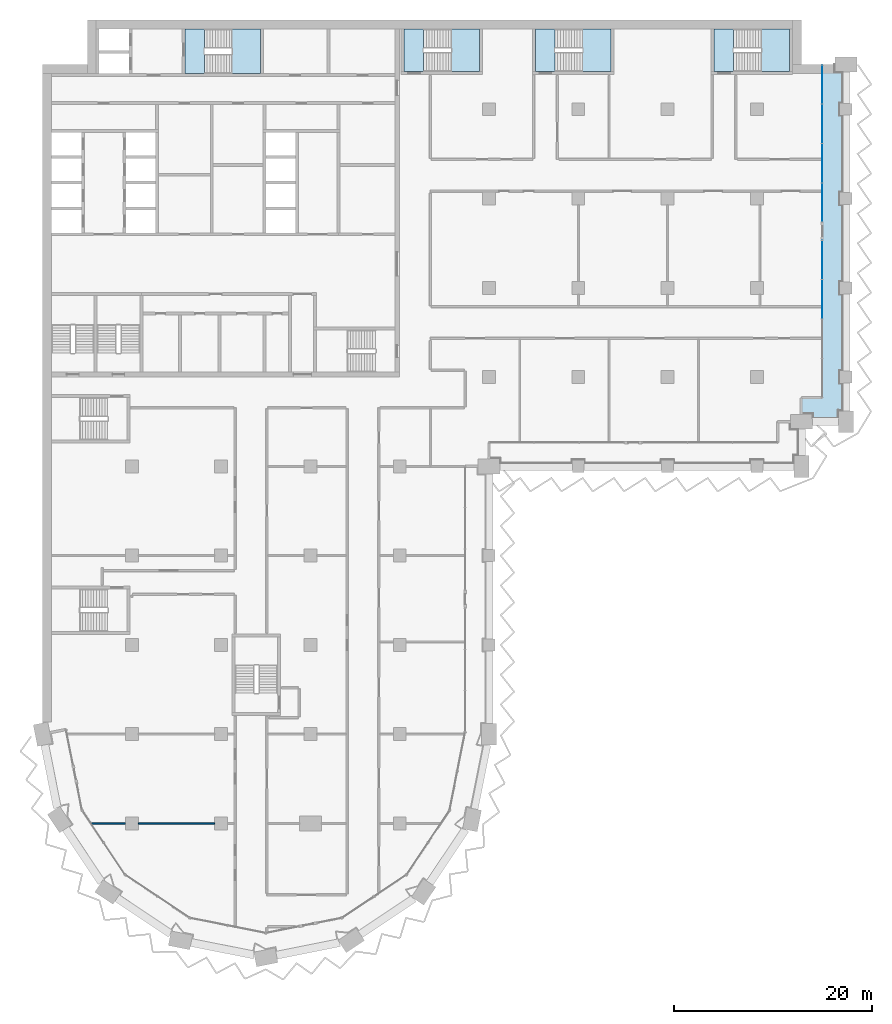
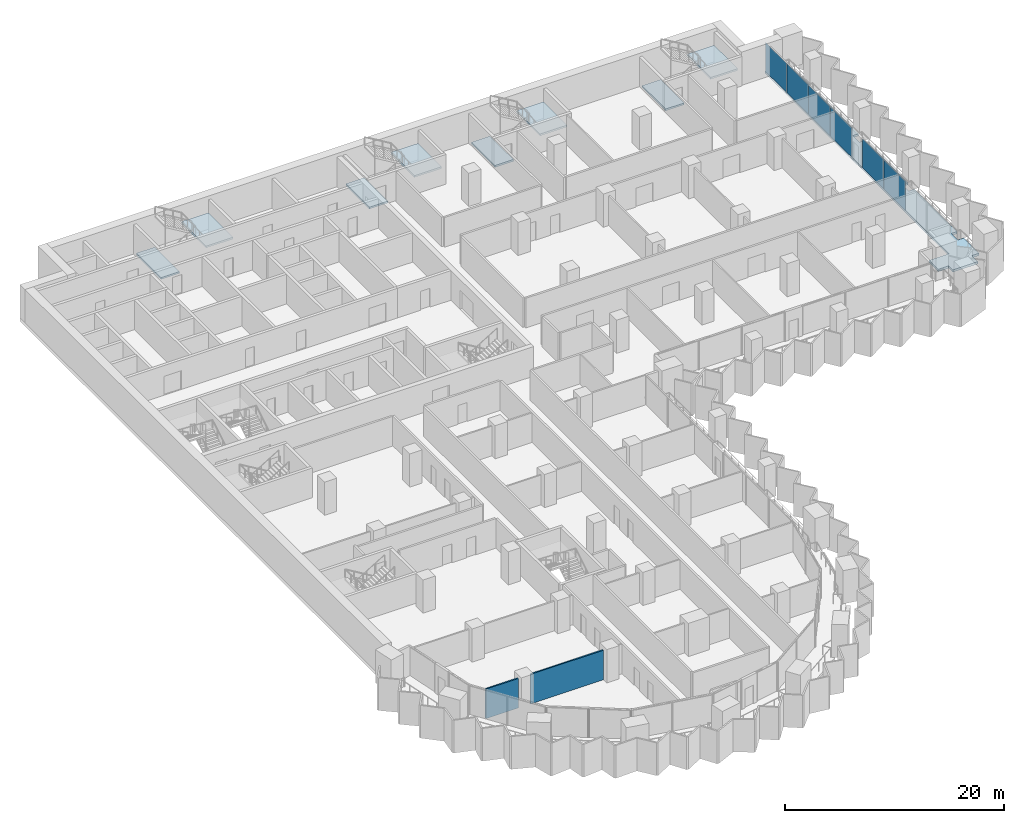
# One storey, part 8 of 22: 9 slabs, 6 plates, 2 walls, 6 elements without a shape of their own.
"""IFC4 building model written with IfcOpenShell, lengths in metres."""

from ifc_helpers import new_model, si_unit, direction, frame, frame_2d, origin, origin_2d, place, context, subcontext, project, spatial, polyline, rectangle, outline, extrude, material, layer, layer_set, type_object, element, aggregate, save


model = new_model("IFC4")

# Units and contexts
model_context = context("Model", 3, precision=1e-05, world=origin(), true_north=direction((0.0, 1.0)))
body_context = subcontext(model_context, "Body", "Model", "MODEL_VIEW")
ifc_project = project(units=[si_unit("LENGTHUNIT", "METRE"), si_unit("AREAUNIT", "SQUARE_METRE"), si_unit("VOLUMEUNIT", "CUBIC_METRE"), si_unit("PLANEANGLEUNIT", "RADIAN"), si_unit("MASSUNIT", "GRAM", prefix="KILO")], contexts=[model_context])

# Site, building, storey
site_placement = place(None, origin())
site = spatial("IfcSite", under=ifc_project, at=site_placement, CompositionType="ELEMENT")
building_placement = place(site_placement, origin())
building = spatial("IfcBuilding", under=site, at=building_placement, Name="Hunhe Ridgeline Campus", CompositionType="ELEMENT")
storey_placement = place(building_placement, frame((0.0, 0.0, 92.199951171875)))
storey = spatial("IfcBuildingStorey", under=building, at=storey_placement, Name="L22", CompositionType="ELEMENT", Elevation=92.199951171875)

# Curtain wall, plates
ifc_material_1 = material(Name="Aluminium 6063", Category="aluminium")
curtain_wall_type = type_object("IfcCurtainWallType", Name="Curtain wall CW-1", PredefinedType="NOTDEFINED", material=ifc_material_1)
curtain_wall_1_placement = place(storey_placement, origin())
curtain_wall_1 = element("IfcCurtainWall", 1, at=curtain_wall_1_placement, inside=storey, type_object=curtain_wall_type, Name="Curtain wall 15", PredefinedType="NOTDEFINED")
ifc_material_2 = material(Name="Low-e laminated glass", Category="glass")
ifc_layer_1 = layer(ifc_material_2, 0.028076171875)
ifc_layer_set_1 = layer_set([ifc_layer_1], Name="Curtain wall glass panel 28 low-e laminated")
plate_type = type_object("IfcPlateType", Name="Curtain wall glass panel 28 low-e laminated", PredefinedType="CURTAIN_PANEL", material=ifc_layer_set_1)
plate_1_placement = place(storey_placement, frame((78.59912109375, 70.838134765625, 0.0), z_axis=(0.0, 0.0, 1.0), x_axis=(0.0, 1.0, 0.0)))
plate_1 = element("IfcPlate", 2, at=plate_1_placement, type_object=plate_type, Name="CW-1 panel 3", PredefinedType="CURTAIN_PANEL", context=body_context, shape_type="SweptSolid", body=[
    extrude(rectangle(XDim=3.914794921875, YDim=0.028076171875, at=origin_2d()), origin(), (0.0, 0.0, 1.0), 3.239990234375),
])
plate_2_placement = place(storey_placement, frame((78.59912109375, 74.798095703125, 0.0), z_axis=(0.0, 0.0, 1.0), x_axis=(0.0, 1.0, 0.0)))
plate_2 = element("IfcPlate", 3, at=plate_2_placement, type_object=plate_type, Name="CW-1 panel 4", PredefinedType="CURTAIN_PANEL", context=body_context, shape_type="SweptSolid", body=[
    extrude(rectangle(XDim=3.884765625, YDim=0.028076171875, at=origin_2d()), origin(), (0.0, 0.0, 1.0), 3.239990234375),
])
aggregate(curtain_wall_1, [plate_1, plate_2])

curtain_wall_2_placement = place(storey_placement, origin())
curtain_wall_2 = element("IfcCurtainWall", 4, at=curtain_wall_2_placement, inside=storey, type_object=curtain_wall_type, Name="Curtain wall 16", PredefinedType="NOTDEFINED")
plate_3_placement = place(storey_placement, frame((78.59912109375, 80.60302734375, 0.0), z_axis=(0.0, 0.0, 1.0), x_axis=(0.0, 1.0, 0.0)))
plate_3 = element("IfcPlate", 5, at=plate_3_placement, type_object=plate_type, Name="CW-1 panel 1", PredefinedType="CURTAIN_PANEL", context=body_context, shape_type="SweptSolid", body=[
    extrude(rectangle(XDim=3.884765625, YDim=0.028076171875, at=origin_2d()), origin(), (0.0, 0.0, 1.0), 3.239990234375),
])
plate_4_placement = place(storey_placement, frame((78.59912109375, 84.562744140625, 0.0), z_axis=(0.0, 0.0, 1.0), x_axis=(0.0, 1.0, 0.0)))
plate_4 = element("IfcPlate", 6, at=plate_4_placement, type_object=plate_type, Name="CW-1 panel 2", PredefinedType="CURTAIN_PANEL", context=body_context, shape_type="SweptSolid", body=[
    extrude(rectangle(XDim=3.914794921875, YDim=0.028076171875, at=origin_2d()), origin(), (0.0, 0.0, 1.0), 3.239990234375),
])
plate_5_placement = place(storey_placement, frame((78.59912109375, 88.53759765625, 0.0), z_axis=(0.0, 0.0, 1.0), x_axis=(0.0, 1.0, 0.0)))
plate_5 = element("IfcPlate", 7, at=plate_5_placement, type_object=plate_type, Name="CW-1 panel 3", PredefinedType="CURTAIN_PANEL", context=body_context, shape_type="SweptSolid", body=[
    extrude(rectangle(XDim=3.914794921875, YDim=0.028076171875, at=origin_2d()), origin(), (0.0, 0.0, 1.0), 3.239990234375),
])
plate_6_placement = place(storey_placement, frame((78.59912109375, 92.49755859375, 0.0), z_axis=(0.0, 0.0, 1.0), x_axis=(0.0, 1.0, 0.0)))
plate_6 = element("IfcPlate", 8, at=plate_6_placement, type_object=plate_type, Name="CW-1 panel 4", PredefinedType="CURTAIN_PANEL", context=body_context, shape_type="SweptSolid", body=[
    extrude(rectangle(XDim=3.884765625, YDim=0.028076171875, at=origin_2d()), origin(), (0.0, 0.0, 1.0), 3.239990234375),
])
aggregate(curtain_wall_2, [plate_3, plate_4, plate_5, plate_6])

# Slab
ifc_material_3 = material(Name="Concrete C40", Category="concrete")
ifc_layer_2 = layer(ifc_material_3, 0.25)
ifc_layer_set_2 = layer_set([ifc_layer_2], Name="Loggia slab 250 Concrete C40")
slab_type_1 = type_object("IfcSlabType", Name="Loggia slab 250 Concrete C40", PredefinedType="FLOOR", material=ifc_layer_set_2)
slab_1_placement = place(storey_placement, frame((0.0, 0.0, -0.25)))
element("IfcSlab", 9, at=slab_1_placement, inside=storey, type_object=slab_type_1, Name="Loggia slab 3", PredefinedType="FLOOR", context=body_context, shape_type="SweptSolid", body=[
    extrude(outline(polyline([(76.5, 59.25), (77.60009765625, 59.25), (77.60009765625, 58.5), (80.25, 58.5), (80.25, 59.60009765625), (81.0, 59.60009765625), (81.0, 62.39990234375), (80.39990234375, 62.39990234375), (80.39990234375, 63.60009765625), (81.0, 63.60009765625), (81.0, 71.39990234375), (80.39990234375, 71.39990234375), (80.39990234375, 72.60009765625), (81.0, 72.60009765625), (81.0, 80.39990234375), (80.39990234375, 80.39990234375), (80.39990234375, 81.60009765625), (81.0, 81.60009765625), (81.0, 89.39990234375), (80.39990234375, 89.39990234375), (80.39990234375, 90.60009765625), (81.0, 90.60009765625), (81.0, 93.75), (79.89990234375, 93.75), (79.89990234375, 94.5), (78.60009765625, 94.5), (78.60009765625, 60.89990234375), (76.5, 60.89990234375), (76.5, 59.25)])), origin(), (0.0, 0.0, 1.0), 0.25),
])

# Stair, slab
stair_type = type_object("IfcStairType", Name="Reinforced concrete dog-leg stair 1950 Concrete C40", PredefinedType="HALF_TURN_STAIR", material=ifc_material_3)
stair_1_placement = place(storey_placement, origin())
stair_1 = element("IfcStair", 10, at=stair_1_placement, inside=storey, type_object=stair_type, Name="L22 S1", PredefinedType="HALF_TURN_STAIR")
ifc_layer_3 = layer(ifc_material_3, 0.199951171875)
ifc_layer_set_3 = layer_set([ifc_layer_3], Name="Reinforced concrete stair landing 200 Concrete C40")
slab_type_2 = type_object("IfcSlabType", Name="Reinforced concrete stair landing 200 Concrete C40", PredefinedType="LANDING", material=ifc_layer_set_3)
slab_2_placement = place(storey_placement, frame((0.0, 0.0, 1.650146484375)))
slab_2 = element("IfcSlab", 11, at=slab_2_placement, type_object=slab_type_2, Name="ST1 landing 1", PredefinedType="LANDING", context=body_context, shape_type="SweptSolid", body=[
    extrude(outline(polyline([(19.10009765625, 93.60009765625), (21.949951171875, 93.60009765625), (21.949951171875, 98.10009765625), (19.10009765625, 98.10009765625), (19.10009765625, 93.60009765625)])), origin(), (0.0, 0.0, 1.0), 0.199951171875),
])
aggregate(stair_1, [slab_2])

# Slab
slab_3_placement = place(storey_placement, frame((0.0, 0.0, -0.199951171875)))
element("IfcSlab", 12, at=slab_3_placement, inside=storey, type_object=slab_type_2, Name="L22 stair S1 floor landing", PredefinedType="LANDING", context=body_context, shape_type="SweptSolid", body=[
    extrude(outline(polyline([(14.35009765625, 93.60009765625), (16.300048828125, 93.60009765625), (16.300048828125, 98.10009765625), (14.35009765625, 98.10009765625), (14.35009765625, 93.60009765625)])), origin(), (0.0, 0.0, 1.0), 0.199951171875),
])

# Stair, slab
stair_2_placement = place(storey_placement, origin())
stair_2 = element("IfcStair", 13, at=stair_2_placement, inside=storey, type_object=stair_type, Name="L22 E1", PredefinedType="HALF_TURN_STAIR")
slab_4_placement = place(storey_placement, frame((0.0, 0.0, 1.650146484375)))
slab_4 = element("IfcSlab", 14, at=slab_4_placement, type_object=slab_type_2, Name="ST5 landing 1", PredefinedType="LANDING", context=body_context, shape_type="SweptSolid", body=[
    extrude(outline(polyline([(41.199951171875, 93.800048828125), (44.050048828125, 93.800048828125), (44.050048828125, 98.10009765625), (41.199951171875, 98.10009765625), (41.199951171875, 93.800048828125)])), origin(), (0.0, 0.0, 1.0), 0.199951171875),
])
aggregate(stair_2, [slab_4])

# Slab
slab_5_placement = place(storey_placement, frame((0.0, 0.0, -0.199951171875)))
element("IfcSlab", 15, at=slab_5_placement, inside=storey, type_object=slab_type_2, Name="L22 stair E1 floor landing", PredefinedType="LANDING", context=body_context, shape_type="SweptSolid", body=[
    extrude(outline(polyline([(36.449951171875, 93.800048828125), (38.39990234375, 93.800048828125), (38.39990234375, 98.10009765625), (36.449951171875, 98.10009765625), (36.449951171875, 93.800048828125)])), origin(), (0.0, 0.0, 1.0), 0.199951171875),
])

# Stair, slab
stair_3_placement = place(storey_placement, origin())
stair_3 = element("IfcStair", 16, at=stair_3_placement, inside=storey, type_object=stair_type, Name="L22 E2", PredefinedType="HALF_TURN_STAIR")
slab_6_placement = place(storey_placement, frame((0.0, 0.0, 1.650146484375)))
slab_6 = element("IfcSlab", 17, at=slab_6_placement, type_object=slab_type_2, Name="ST6 landing 1", PredefinedType="LANDING", context=body_context, shape_type="SweptSolid", body=[
    extrude(outline(polyline([(54.449951171875, 93.800048828125), (57.300048828125, 93.800048828125), (57.300048828125, 98.10009765625), (54.449951171875, 98.10009765625), (54.449951171875, 93.800048828125)])), origin(), (0.0, 0.0, 1.0), 0.199951171875),
])
aggregate(stair_3, [slab_6])

# Slab
slab_7_placement = place(storey_placement, frame((0.0, 0.0, -0.199951171875)))
element("IfcSlab", 18, at=slab_7_placement, inside=storey, type_object=slab_type_2, Name="L22 stair E2 floor landing", PredefinedType="LANDING", context=body_context, shape_type="SweptSolid", body=[
    extrude(outline(polyline([(49.699951171875, 93.800048828125), (51.64990234375, 93.800048828125), (51.64990234375, 98.10009765625), (49.699951171875, 98.10009765625), (49.699951171875, 93.800048828125)])), origin(), (0.0, 0.0, 1.0), 0.199951171875),
])

# Stair, slab
stair_4_placement = place(storey_placement, origin())
stair_4 = element("IfcStair", 19, at=stair_4_placement, inside=storey, type_object=stair_type, Name="L22 E3", PredefinedType="HALF_TURN_STAIR")
slab_8_placement = place(storey_placement, frame((0.0, 0.0, 1.650146484375)))
slab_8 = element("IfcSlab", 20, at=slab_8_placement, type_object=slab_type_2, Name="ST7 landing 1", PredefinedType="LANDING", context=body_context, shape_type="SweptSolid", body=[
    extrude(outline(polyline([(72.449951171875, 93.800048828125), (75.300048828125, 93.800048828125), (75.300048828125, 98.10009765625), (72.449951171875, 98.10009765625), (72.449951171875, 93.800048828125)])), origin(), (0.0, 0.0, 1.0), 0.199951171875),
])
aggregate(stair_4, [slab_8])

# Slab
slab_9_placement = place(storey_placement, frame((0.0, 0.0, -0.199951171875)))
element("IfcSlab", 21, at=slab_9_placement, inside=storey, type_object=slab_type_2, Name="L22 stair E3 floor landing", PredefinedType="LANDING", context=body_context, shape_type="SweptSolid", body=[
    extrude(outline(polyline([(67.699951171875, 93.800048828125), (69.64990234375, 93.800048828125), (69.64990234375, 98.10009765625), (67.699951171875, 98.10009765625), (67.699951171875, 93.800048828125)])), origin(), (0.0, 0.0, 1.0), 0.199951171875),
])

# Walls
ifc_material_4 = material(Name="Gypsum board partition")
ifc_layer_4 = layer(ifc_material_4, 0.14990234375)
ifc_layer_set_4 = layer_set([ifc_layer_4], Name="Room partition 150 gypsum board on steel studs")
wall_type = type_object("IfcWallType", Name="Room partition 150 gypsum board on steel studs", PredefinedType="PARTITIONING", material=ifc_layer_set_4)
wall_1_placement = place(storey_placement, frame((4.925537109375, 18.0, 0.0), z_axis=(0.0, 0.0, 1.0), x_axis=(1.0, 0.0, 0.0)))
element("IfcWall", 22, at=wall_1_placement, inside=storey, type_object=wall_type, Name="F-L22-wall-003", PredefinedType="PARTITIONING", context=body_context, shape_type="SweptSolid", body=[
    extrude(rectangle(XDim=3.424560546875, YDim=0.14990234375, at=frame_2d((1.71240234375, 0.0))), origin(), (0.0, 0.0, 1.0), 3.300048828125),
])
wall_2_placement = place(storey_placement, frame((9.64990234375, 18.0, 0.0), z_axis=(0.0, 0.0, 1.0), x_axis=(1.0, 0.0, 0.0)))
element("IfcWall", 23, at=wall_2_placement, inside=storey, type_object=wall_type, Name="F-L22-wall-004", PredefinedType="PARTITIONING", context=body_context, shape_type="SweptSolid", body=[
    extrude(rectangle(XDim=7.7001953125, YDim=0.14990234375, at=frame_2d((3.85009765625, 0.0))), origin(), (0.0, 0.0, 1.0), 3.300048828125),
])

save(model, "model.ifc")
